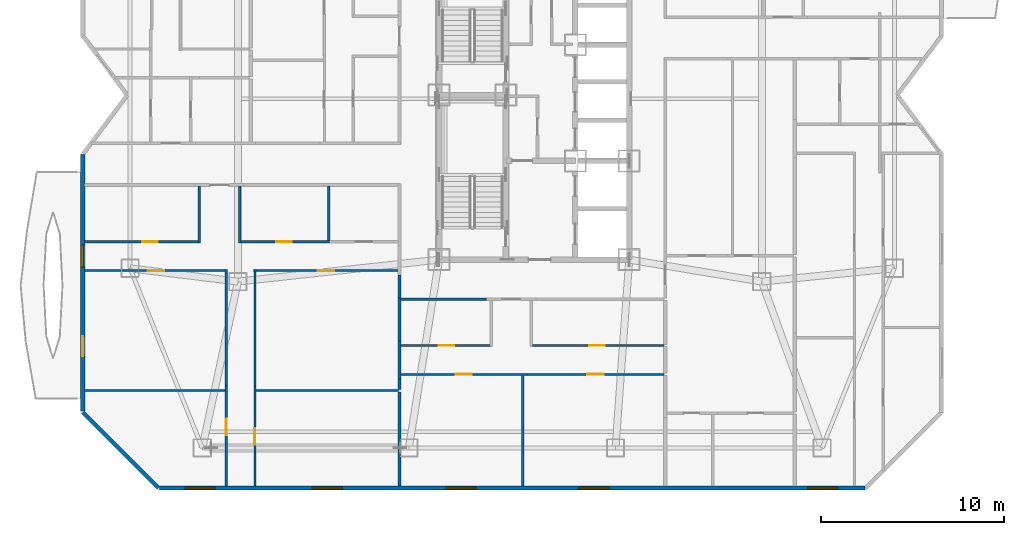
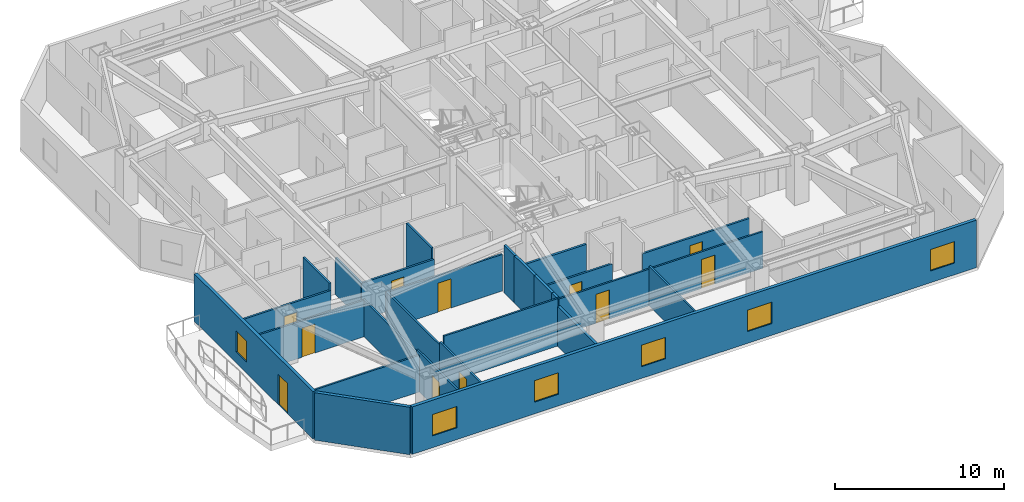
# One storey, part 7 of 15: 27 walls, 11 doors, 6 windows, 17 openings.
"""IFC4 building model written with IfcOpenShell, lengths in metres."""

from ifc_helpers import new_model, si_unit, direction, frame, frame_2d, origin, place, context, subcontext, project, spatial, rectangle, extrude, material, layer, layer_set, type_object, element, fill, save


model = new_model("IFC4")

# Units and contexts
model_context = context("Model", 3, precision=1e-05, world=origin(), true_north=direction((0.0, 1.0)))
body_context = subcontext(model_context, "Body", "Model", "MODEL_VIEW")
ifc_project = project(units=[si_unit("LENGTHUNIT", "METRE"), si_unit("AREAUNIT", "SQUARE_METRE"), si_unit("VOLUMEUNIT", "CUBIC_METRE"), si_unit("PLANEANGLEUNIT", "RADIAN"), si_unit("MASSUNIT", "GRAM", prefix="KILO")], contexts=[model_context])

# Site, building, storey
site_placement = place(None, origin())
site = spatial("IfcSite", under=ifc_project, at=site_placement, CompositionType="ELEMENT")
building_placement = place(site_placement, origin())
building = spatial("IfcBuilding", under=site, at=building_placement, Name="Khamvora Tower", CompositionType="ELEMENT")
storey_placement = place(building_placement, frame((0.0, 0.0, 112.85009765625)))
storey = spatial("IfcBuildingStorey", under=building, at=storey_placement, Name="L28", CompositionType="ELEMENT", Elevation=112.85009765625)

# Walls
ifc_material_1 = material(Name="Fire-Rated Drywall and Steel Stud", Category="steel")
ifc_layer_1 = layer(ifc_material_1, 0.14990234375)
ifc_layer_set_1 = layer_set([ifc_layer_1], Name="Fire-Rated Drywall and Steel Stud")
wall_type_1 = type_object("IfcWallType", Name="WAL-CORR-150", PredefinedType="STANDARD", material=ifc_layer_set_1)
wall_1_placement = place(storey_placement, frame((26.8349609375, 16.89990234375, 0.0), z_axis=(0.0, 0.0, 1.0), x_axis=(0.0, 1.0, 0.0)))
element("IfcWall", 1, at=wall_1_placement, inside=storey, type_object=wall_type_1, Name="L28 interior partition wall 015", PredefinedType="STANDARD", context=body_context, shape_type="SweptSolid", body=[
    extrude(rectangle(XDim=1.254150390625, YDim=0.14990234375, at=frame_2d((0.626953125, 0.0))), origin(), (0.0, 0.0, 1.0), 3.429931640625),
])
wall_2_placement = place(storey_placement, frame((31.60107421875, 16.8349609375, 0.0), z_axis=(0.0, 0.0, 1.0), x_axis=(-1.0, 0.0, 0.0)))
element("IfcWall", 2, at=wall_2_placement, inside=storey, type_object=wall_type_1, Name="L28 interior partition wall 027", PredefinedType="STANDARD", context=body_context, shape_type="SweptSolid", body=[
    extrude(rectangle(XDim=4.701171875, YDim=0.14990234375, at=frame_2d((2.3505859375, 0.0))), origin(), (0.0, 0.0, 1.0), 2.64697265625),
])
ifc_material_2 = material(Name="Acoustic Double-Stud Fire Wall", Category="gypsum")
ifc_layer_2 = layer(ifc_material_2, 0.179931640625)
ifc_layer_set_2 = layer_set([ifc_layer_2], Name="Acoustic Double-Stud Fire Wall")
wall_type_2 = type_object("IfcWallType", Name="WAL-CORR-180", PredefinedType="STANDARD", material=ifc_layer_set_2)
wall_3_placement = place(storey_placement, frame((26.8349609375, 11.77294921875, 0.0), z_axis=(0.0, 0.0, 1.0), x_axis=(0.0, -1.0, 0.0)))
element("IfcWall", 3, at=wall_3_placement, inside=storey, type_object=wall_type_2, Name="L28 interior partition wall 062", PredefinedType="STANDARD", context=body_context, shape_type="SweptSolid", body=[
    extrude(rectangle(XDim=5.160888671875, YDim=0.179931640625, at=frame_2d((2.58056640625, 0.0))), origin(), (0.0, 0.0, 1.0), 2.8759765625),
])
wall_4_placement = place(storey_placement, frame((26.8349609375, 14.553955078125, 0.0), z_axis=(0.0, 0.0, 1.0), x_axis=(0.0, -1.0, 0.0)))
element("IfcWall", 4, at=wall_4_placement, inside=storey, type_object=wall_type_2, Name="L28 interior partition wall 063", PredefinedType="STANDARD", context=body_context, shape_type="SweptSolid", body=[
    extrude(rectangle(XDim=2.077880859375, YDim=0.179931640625, at=frame_2d((1.0390625, 0.0))), origin(), (0.0, 0.0, 1.0), 3.429931640625),
])
wall_5_placement = place(storey_placement, frame((26.8349609375, 16.89990234375, 0.0), z_axis=(0.0, 0.0, 1.0), x_axis=(0.0, -1.0, 0.0)))
element("IfcWall", 5, at=wall_5_placement, inside=storey, type_object=wall_type_2, Name="L28 interior partition wall 064", PredefinedType="STANDARD", context=body_context, shape_type="SweptSolid", body=[
    extrude(rectangle(XDim=2.345947265625, YDim=0.179931640625, at=frame_2d((1.1728515625, 0.0))), origin(), (0.0, 0.0, 1.0), 3.429931640625),
])
wall_6_placement = place(storey_placement, frame((26.8349609375, 12.47607421875, 0.0), z_axis=(0.0, 0.0, 1.0), x_axis=(0.0, -1.0, 0.0)))
element("IfcWall", 6, at=wall_6_placement, inside=storey, type_object=wall_type_2, Name="L28 interior partition wall 065", PredefinedType="STANDARD", context=body_context, shape_type="SweptSolid", body=[
    extrude(rectangle(XDim=0.572998046875, YDim=0.179931640625, at=frame_2d((0.28662109375, 0.0))), origin(), (0.0, 0.0, 1.0), 3.429931640625),
])
ifc_material_3 = material(Name="Precast concrete C40/50", Category="concrete")
ifc_layer_3 = layer(ifc_material_3, 0.219970703125)
ifc_layer_set_3 = layer_set([ifc_layer_3], Name="Precast concrete C40/50")
wall_type_3 = type_object("IfcWallType", Name="WAL-EXT-220", PredefinedType="STANDARD", material=ifc_layer_set_3)
wall_7_placement = place(storey_placement, frame((13.64599609375, 6.510009765625, 0.0), z_axis=(0.0, 0.0, 1.0), x_axis=(-0.707106781187, 0.707106781187, 0.0)))
element("IfcWall", 7, at=wall_7_placement, inside=storey, type_object=wall_type_3, Name="L28 exterior facade wall 01.1", PredefinedType="STANDARD", context=body_context, shape_type="SweptSolid", body=[
    extrude(rectangle(XDim=5.84912109375, YDim=0.219970703125, at=frame_2d((2.924560546875, 0.0))), origin(), (0.0, 0.0, 1.0), 3.429931640625),
])

# Wall, openings, door, window
wall_8_placement = place(storey_placement, frame((9.510009765625, 10.717041015625, 0.0), z_axis=(0.0, 0.0, 1.0), x_axis=(0.0, 1.0, 0.0)))
wall_8 = element("IfcWall", 8, at=wall_8_placement, inside=storey, type_object=wall_type_3, Name="L28 exterior facade wall 02.1", PredefinedType="STANDARD", context=body_context, shape_type="SweptSolid", body=[
    extrude(rectangle(XDim=14.0458984375, YDim=0.219970703125, at=frame_2d((7.02294921875, 0.0))), origin(), (0.0, 0.0, 1.0), 3.429931640625),
])
opening_1_placement = place(wall_8_placement, frame((2.9970703125, 0.0, 0.0)))
opening_1 = element("IfcOpeningElement", 9, at=opening_1_placement, cuts=wall_8, Name="Opening BD-01", PredefinedType="OPENING", context=body_context, shape_type="SweptSolid", body=[
    extrude(rectangle(XDim=1.10009765625, YDim=2.199951171875, at=frame_2d((0.550048828125, 1.10009765625))), frame((0.0, 0.119873046875, 0.0), z_axis=(0.0, -1.0, 0.0), x_axis=(1.0, 0.0, 0.0)), (0.0, 0.0, 1.0), 0.239990234375),
])
opening_2_placement = place(wall_8_placement, frame((7.8759765625, 0.0, 0.800048828125)))
opening_2 = element("IfcOpeningElement", 10, at=opening_2_placement, cuts=wall_8, Name="Opening WN-03", PredefinedType="OPENING", context=body_context, shape_type="SweptSolid", body=[
    extrude(rectangle(XDim=1.199951171875, YDim=1.5, at=frame_2d((0.60009765625, 0.75))), frame((0.0, 0.119873046875, 0.0), z_axis=(0.0, -1.0, 0.0), x_axis=(1.0, 0.0, 0.0)), (0.0, 0.0, 1.0), 0.239990234375),
])
ifc_material_4 = material(Name="Anodised Aluminium and Laminated Safety Glass", Category="aluminium")
door_type_1 = type_object("IfcDoorType", Name="DOR-BAL-1100", OperationType="NOTDEFINED", PredefinedType="DOOR", material=ifc_material_4)
door_1_placement = place(opening_1_placement, origin())
door_1 = element("IfcDoor", 11, at=door_1_placement, inside=storey, type_object=door_type_1, Name="L28 lens gallery balcony door WL1", OperationType="SLIDING_TO_LEFT", OverallHeight=2.199951171875, OverallWidth=1.10009765625, PredefinedType="DOOR", context=body_context, shape_type="SweptSolid", body=[
    extrude(rectangle(XDim=1.10009765625, YDim=2.199951171875, at=frame_2d((0.550048828125, 1.10009765625))), frame((0.0, 0.02490234375, 0.0), z_axis=(0.0, -1.0, 0.0), x_axis=(1.0, 0.0, 0.0)), (0.0, 0.0, 1.0), 0.050048828125),
])
fill(opening_1, door_1)
ifc_material_5 = material(Name="Low-E Laminated Double Glazing", Category="glass")
window_type_1 = type_object("IfcWindowType", Name="WIN-VIS-1200x1500", PartitioningType="SINGLE_PANEL", PredefinedType="WINDOW", material=ifc_material_5)
window_1_placement = place(opening_2_placement, origin())
window_1 = element("IfcWindow", 12, at=window_1_placement, inside=storey, type_object=window_type_1, Name="L28 vision window 02.1.01", OverallHeight=1.5, OverallWidth=1.199951171875, PartitioningType="SINGLE_PANEL", PredefinedType="WINDOW", context=body_context, shape_type="SweptSolid", body=[
    extrude(rectangle(XDim=1.199951171875, YDim=1.5, at=frame_2d((0.60009765625, 0.75))), frame((0.0, 0.030029296875, 0.0), z_axis=(0.0, -1.0, 0.0), x_axis=(1.0, 0.0, 0.0)), (0.0, 0.0, 1.0), 0.06005859375),
])
fill(opening_2, window_1)

# Wall, openings, windows
wall_9_placement = place(storey_placement, frame((52.282958984375, 6.510009765625, 0.0), z_axis=(0.0, 0.0, 1.0), x_axis=(-1.0, 0.0, 0.0)))
wall_9 = element("IfcWall", 13, at=wall_9_placement, inside=storey, type_object=wall_type_3, Name="L28 exterior facade wall 14.1", PredefinedType="STANDARD", context=body_context, shape_type="SweptSolid", body=[
    extrude(rectangle(XDim=38.56787109375, YDim=0.219970703125, at=frame_2d((19.283935546875, 0.0))), origin(), (0.0, 0.0, 1.0), 3.429931640625),
])
opening_3_placement = place(wall_9_placement, frame((35.530029296875, 0.0, 0.85009765625)))
opening_3 = element("IfcOpeningElement", 14, at=opening_3_placement, cuts=wall_9, Name="Opening WN-06", PredefinedType="OPENING", context=body_context, shape_type="SweptSolid", body=[
    extrude(rectangle(XDim=1.64990234375, YDim=1.550048828125, at=frame_2d((0.824951171875, 0.77490234375))), frame((0.0, 0.119873046875, 0.0), z_axis=(0.0, -1.0, 0.0), x_axis=(1.0, 0.0, 0.0)), (0.0, 0.0, 1.0), 0.239990234375),
])
opening_4_placement = place(wall_9_placement, frame((28.577880859375, 0.0, 0.85009765625)))
opening_4 = element("IfcOpeningElement", 15, at=opening_4_placement, cuts=wall_9, Name="Opening WN-06", PredefinedType="OPENING", context=body_context, shape_type="SweptSolid", body=[
    extrude(rectangle(XDim=1.64990234375, YDim=1.550048828125, at=frame_2d((0.824951171875, 0.77490234375))), frame((0.0, 0.119873046875, 0.0), z_axis=(0.0, -1.0, 0.0), x_axis=(1.0, 0.0, 0.0)), (0.0, 0.0, 1.0), 0.239990234375),
])
opening_5_placement = place(wall_9_placement, frame((21.2529296875, 0.0, 0.85009765625)))
opening_5 = element("IfcOpeningElement", 16, at=opening_5_placement, cuts=wall_9, Name="Opening WN-06", PredefinedType="OPENING", context=body_context, shape_type="SweptSolid", body=[
    extrude(rectangle(XDim=1.64990234375, YDim=1.550048828125, at=frame_2d((0.824951171875, 0.77490234375))), frame((0.0, 0.119873046875, 0.0), z_axis=(0.0, -1.0, 0.0), x_axis=(1.0, 0.0, 0.0)), (0.0, 0.0, 1.0), 0.239990234375),
])
opening_6_placement = place(wall_9_placement, frame((13.988037109375, 0.0, 0.85009765625)))
opening_6 = element("IfcOpeningElement", 17, at=opening_6_placement, cuts=wall_9, Name="Opening WN-06", PredefinedType="OPENING", context=body_context, shape_type="SweptSolid", body=[
    extrude(rectangle(XDim=1.64990234375, YDim=1.550048828125, at=frame_2d((0.824951171875, 0.77490234375))), frame((0.0, 0.119873046875, 0.0), z_axis=(0.0, -1.0, 0.0), x_axis=(1.0, 0.0, 0.0)), (0.0, 0.0, 1.0), 0.239990234375),
])
opening_7_placement = place(wall_9_placement, frame((1.47900390625, 0.0, 0.85009765625)))
opening_7 = element("IfcOpeningElement", 18, at=opening_7_placement, cuts=wall_9, Name="Opening WN-06", PredefinedType="OPENING", context=body_context, shape_type="SweptSolid", body=[
    extrude(rectangle(XDim=1.64990234375, YDim=1.550048828125, at=frame_2d((0.824951171875, 0.77490234375))), frame((0.0, 0.119873046875, 0.0), z_axis=(0.0, -1.0, 0.0), x_axis=(1.0, 0.0, 0.0)), (0.0, 0.0, 1.0), 0.239990234375),
])
window_type_2 = type_object("IfcWindowType", Name="WIN-VIS-1650x1550", PartitioningType="SINGLE_PANEL", PredefinedType="WINDOW", material=ifc_material_5)
window_2_placement = place(opening_3_placement, origin())
window_2 = element("IfcWindow", 19, at=window_2_placement, inside=storey, type_object=window_type_2, Name="L28 vision window 14.1.01", OverallHeight=1.550048828125, OverallWidth=1.64990234375, PartitioningType="SINGLE_PANEL", PredefinedType="WINDOW", context=body_context, shape_type="SweptSolid", body=[
    extrude(rectangle(XDim=1.64990234375, YDim=1.550048828125, at=frame_2d((0.824951171875, 0.77490234375))), frame((0.0, 0.030029296875, 0.0), z_axis=(0.0, -1.0, 0.0), x_axis=(1.0, 0.0, 0.0)), (0.0, 0.0, 1.0), 0.06005859375),
])
fill(opening_3, window_2)
window_3_placement = place(opening_4_placement, origin())
window_3 = element("IfcWindow", 20, at=window_3_placement, inside=storey, type_object=window_type_2, Name="L28 vision window 14.1.02", OverallHeight=1.550048828125, OverallWidth=1.64990234375, PartitioningType="SINGLE_PANEL", PredefinedType="WINDOW", context=body_context, shape_type="SweptSolid", body=[
    extrude(rectangle(XDim=1.64990234375, YDim=1.550048828125, at=frame_2d((0.824951171875, 0.77490234375))), frame((0.0, 0.030029296875, 0.0), z_axis=(0.0, -1.0, 0.0), x_axis=(1.0, 0.0, 0.0)), (0.0, 0.0, 1.0), 0.06005859375),
])
fill(opening_4, window_3)
window_4_placement = place(opening_5_placement, origin())
window_4 = element("IfcWindow", 21, at=window_4_placement, inside=storey, type_object=window_type_2, Name="L28 vision window 14.1.03", OverallHeight=1.550048828125, OverallWidth=1.64990234375, PartitioningType="SINGLE_PANEL", PredefinedType="WINDOW", context=body_context, shape_type="SweptSolid", body=[
    extrude(rectangle(XDim=1.64990234375, YDim=1.550048828125, at=frame_2d((0.824951171875, 0.77490234375))), frame((0.0, 0.030029296875, 0.0), z_axis=(0.0, -1.0, 0.0), x_axis=(1.0, 0.0, 0.0)), (0.0, 0.0, 1.0), 0.06005859375),
])
fill(opening_5, window_4)
window_5_placement = place(opening_6_placement, origin())
window_5 = element("IfcWindow", 22, at=window_5_placement, inside=storey, type_object=window_type_2, Name="L28 vision window 14.1.04", OverallHeight=1.550048828125, OverallWidth=1.64990234375, PartitioningType="SINGLE_PANEL", PredefinedType="WINDOW", context=body_context, shape_type="SweptSolid", body=[
    extrude(rectangle(XDim=1.64990234375, YDim=1.550048828125, at=frame_2d((0.824951171875, 0.77490234375))), frame((0.0, 0.030029296875, 0.0), z_axis=(0.0, -1.0, 0.0), x_axis=(1.0, 0.0, 0.0)), (0.0, 0.0, 1.0), 0.06005859375),
])
fill(opening_6, window_5)
window_6_placement = place(opening_7_placement, origin())
window_6 = element("IfcWindow", 23, at=window_6_placement, inside=storey, type_object=window_type_2, Name="L28 vision window 14.1.05", OverallHeight=1.550048828125, OverallWidth=1.64990234375, PartitioningType="SINGLE_PANEL", PredefinedType="WINDOW", context=body_context, shape_type="SweptSolid", body=[
    extrude(rectangle(XDim=1.64990234375, YDim=1.550048828125, at=frame_2d((0.824951171875, 0.77490234375))), frame((0.0, 0.030029296875, 0.0), z_axis=(0.0, -1.0, 0.0), x_axis=(1.0, 0.0, 0.0)), (0.0, 0.0, 1.0), 0.06005859375),
])
fill(opening_7, window_6)

# Wall, opening, door
ifc_material_6 = material(Name="Gypsum Plasterboard Partition", Category="gypsum")
ifc_layer_4 = layer(ifc_material_6, 0.1201171875)
ifc_layer_set_4 = layer_set([ifc_layer_4], Name="Gypsum Plasterboard Partition")
wall_type_4 = type_object("IfcWallType", Name="WAL-PART-120", PredefinedType="PARTITIONING", material=ifc_layer_set_4)
wall_10_placement = place(storey_placement, frame((17.35498046875, 6.612060546875, 0.0), z_axis=(0.0, 0.0, 1.0), x_axis=(0.0, 1.0, 0.0)))
wall_10 = element("IfcWall", 24, at=wall_10_placement, inside=storey, type_object=wall_type_4, Name="L28 interior partition wall 054", PredefinedType="PARTITIONING", context=body_context, shape_type="SweptSolid", body=[
    extrude(rectangle(XDim=5.474853515625, YDim=0.1201171875, at=frame_2d((2.7373046875, 0.0))), origin(), (0.0, 0.0, 1.0), 2.8759765625),
])
opening_8_placement = place(wall_10_placement, frame((2.77392578125, 0.0, 0.0)))
opening_8 = element("IfcOpeningElement", 25, at=opening_8_placement, cuts=wall_10, Name="Opening D-RM1", PredefinedType="OPENING", context=body_context, shape_type="SweptSolid", body=[
    extrude(rectangle(XDim=0.89990234375, YDim=2.10009765625, at=frame_2d((0.449951171875, 1.050048828125))), frame((0.0, 0.070068359375, 0.0), z_axis=(0.0, -1.0, 0.0), x_axis=(1.0, 0.0, 0.0)), (0.0, 0.0, 1.0), 0.14013671875),
])
ifc_material_7 = material(Name="Powder-Coated Steel and Hardwood Leaf", Category="steel")
door_type_2 = type_object("IfcDoorType", Name="DOR-ROOM-900", OperationType="NOTDEFINED", PredefinedType="DOOR", material=ifc_material_7)
door_2_placement = place(opening_8_placement, origin())
door_2 = element("IfcDoor", 26, at=door_2_placement, inside=storey, type_object=door_type_2, Name="L28 interior door 28WAH-28WAL", OperationType="SINGLE_SWING_RIGHT", OverallHeight=2.10009765625, OverallWidth=0.89990234375, PredefinedType="DOOR", context=body_context, shape_type="SweptSolid", body=[
    extrude(rectangle(XDim=0.89990234375, YDim=2.10009765625, at=frame_2d((0.449951171875, 1.050048828125))), frame((0.0, 0.02490234375, 0.0), z_axis=(0.0, -1.0, 0.0), x_axis=(1.0, 0.0, 0.0)), (0.0, 0.0, 1.0), 0.050048828125),
])
fill(opening_8, door_2)

# Wall
wall_11_placement = place(storey_placement, frame((17.35498046875, 12.0869140625, 0.0), z_axis=(0.0, 0.0, 1.0), x_axis=(0.0, 1.0, 0.0)))
element("IfcWall", 27, at=wall_11_placement, inside=storey, type_object=wall_type_4, Name="L28 interior partition wall 055", PredefinedType="PARTITIONING", context=body_context, shape_type="SweptSolid", body=[
    extrude(rectangle(XDim=6.381103515625, YDim=0.1201171875, at=frame_2d((3.1904296875, 0.0))), origin(), (0.0, 0.0, 1.0), 2.64697265625),
])

# Wall, opening, door
wall_12_placement = place(storey_placement, frame((17.419921875, 18.403076171875, 0.0), z_axis=(0.0, 0.0, 1.0), x_axis=(-1.0, 0.0, 0.0)))
wall_12 = element("IfcWall", 28, at=wall_12_placement, inside=storey, type_object=wall_type_4, Name="L28 interior partition wall 056", PredefinedType="PARTITIONING", context=body_context, shape_type="SweptSolid", body=[
    extrude(rectangle(XDim=7.807861328125, YDim=0.1201171875, at=frame_2d((3.90380859375, 0.0))), origin(), (0.0, 0.0, 1.0), 2.64697265625),
])
opening_9_placement = place(wall_12_placement, frame((3.4541015625, 0.0, 0.0)))
opening_9 = element("IfcOpeningElement", 29, at=opening_9_placement, cuts=wall_12, Name="Opening D-RM1", PredefinedType="OPENING", context=body_context, shape_type="SweptSolid", body=[
    extrude(rectangle(XDim=0.89990234375, YDim=2.10009765625, at=frame_2d((0.449951171875, 1.050048828125))), frame((0.0, 0.070068359375, 0.0), z_axis=(0.0, -1.0, 0.0), x_axis=(1.0, 0.0, 0.0)), (0.0, 0.0, 1.0), 0.14013671875),
])
door_3_placement = place(opening_9_placement, origin())
door_3 = element("IfcDoor", 30, at=door_3_placement, inside=storey, type_object=door_type_2, Name="L28 interior door 28WAH-28WAR2", OperationType="SINGLE_SWING_LEFT", OverallHeight=2.10009765625, OverallWidth=0.89990234375, PredefinedType="DOOR", context=body_context, shape_type="SweptSolid", body=[
    extrude(rectangle(XDim=0.89990234375, YDim=2.10009765625, at=frame_2d((0.449951171875, 1.050048828125))), frame((0.0, 0.02490234375, 0.0), z_axis=(0.0, -1.0, 0.0), x_axis=(1.0, 0.0, 0.0)), (0.0, 0.0, 1.0), 0.050048828125),
])
fill(opening_9, door_3)

wall_13_placement = place(storey_placement, frame((18.925048828125, 12.0869140625, 0.0), z_axis=(0.0, 0.0, 1.0), x_axis=(0.0, -1.0, 0.0)))
wall_13 = element("IfcWall", 31, at=wall_13_placement, inside=storey, type_object=wall_type_4, Name="L28 interior partition wall 057", PredefinedType="PARTITIONING", context=body_context, shape_type="SweptSolid", body=[
    extrude(rectangle(XDim=5.474853515625, YDim=0.1201171875, at=frame_2d((2.7373046875, 0.0))), origin(), (0.0, 0.0, 1.0), 2.8759765625),
])
opening_10_placement = place(wall_13_placement, frame((2.30810546875, 0.0, 0.0)))
opening_10 = element("IfcOpeningElement", 32, at=opening_10_placement, cuts=wall_13, Name="Opening D-RM1", PredefinedType="OPENING", context=body_context, shape_type="SweptSolid", body=[
    extrude(rectangle(XDim=0.89990234375, YDim=2.10009765625, at=frame_2d((0.449951171875, 1.050048828125))), frame((0.0, 0.070068359375, 0.0), z_axis=(0.0, -1.0, 0.0), x_axis=(1.0, 0.0, 0.0)), (0.0, 0.0, 1.0), 0.14013671875),
])
door_4_placement = place(opening_10_placement, origin())
door_4 = element("IfcDoor", 33, at=door_4_placement, inside=storey, type_object=door_type_2, Name="L28 interior door 28WAH-28WAR3", OperationType="SINGLE_SWING_LEFT", OverallHeight=2.10009765625, OverallWidth=0.89990234375, PredefinedType="DOOR", context=body_context, shape_type="SweptSolid", body=[
    extrude(rectangle(XDim=0.89990234375, YDim=2.10009765625, at=frame_2d((0.449951171875, 1.050048828125))), frame((0.0, 0.02490234375, 0.0), z_axis=(0.0, -1.0, 0.0), x_axis=(1.0, 0.0, 0.0)), (0.0, 0.0, 1.0), 0.050048828125),
])
fill(opening_10, door_4)

wall_14_placement = place(storey_placement, frame((26.77001953125, 18.403076171875, 0.0), z_axis=(0.0, 0.0, 1.0), x_axis=(-1.0, 0.0, 0.0)))
wall_14 = element("IfcWall", 34, at=wall_14_placement, inside=storey, type_object=wall_type_4, Name="L28 interior partition wall 058", PredefinedType="PARTITIONING", context=body_context, shape_type="SweptSolid", body=[
    extrude(rectangle(XDim=7.909912109375, YDim=0.1201171875, at=frame_2d((3.955078125, 0.0))), origin(), (0.0, 0.0, 1.0), 2.64697265625),
])
opening_11_placement = place(wall_14_placement, frame((3.5048828125, 0.0, 0.0)))
opening_11 = element("IfcOpeningElement", 35, at=opening_11_placement, cuts=wall_14, Name="Opening D-RM1", PredefinedType="OPENING", context=body_context, shape_type="SweptSolid", body=[
    extrude(rectangle(XDim=0.89990234375, YDim=2.10009765625, at=frame_2d((0.449951171875, 1.050048828125))), frame((0.0, 0.070068359375, 0.0), z_axis=(0.0, -1.0, 0.0), x_axis=(1.0, 0.0, 0.0)), (0.0, 0.0, 1.0), 0.14013671875),
])
door_5_placement = place(opening_11_placement, origin())
door_5 = element("IfcDoor", 36, at=door_5_placement, inside=storey, type_object=door_type_2, Name="L28 interior door 28WAH-28WAR4", OperationType="SINGLE_SWING_RIGHT", OverallHeight=2.10009765625, OverallWidth=0.89990234375, PredefinedType="DOOR", context=body_context, shape_type="SweptSolid", body=[
    extrude(rectangle(XDim=0.89990234375, YDim=2.10009765625, at=frame_2d((0.449951171875, 1.050048828125))), frame((0.0, 0.02490234375, 0.0), z_axis=(0.0, -1.0, 0.0), x_axis=(1.0, 0.0, 0.0)), (0.0, 0.0, 1.0), 0.050048828125),
])
fill(opening_11, door_5)

# Walls
wall_15_placement = place(storey_placement, frame((18.925048828125, 18.468017578125, 0.0), z_axis=(0.0, 0.0, 1.0), x_axis=(0.0, -1.0, 0.0)))
element("IfcWall", 37, at=wall_15_placement, inside=storey, type_object=wall_type_4, Name="L28 interior partition wall 059", PredefinedType="PARTITIONING", context=body_context, shape_type="SweptSolid", body=[
    extrude(rectangle(XDim=6.381103515625, YDim=0.1201171875, at=frame_2d((3.1904296875, 0.0))), origin(), (0.0, 0.0, 1.0), 2.64697265625),
])
wall_16_placement = place(storey_placement, frame((9.612060546875, 11.837890625, 0.0), z_axis=(0.0, 0.0, 1.0), x_axis=(1.0, 0.0, 0.0)))
element("IfcWall", 38, at=wall_16_placement, inside=storey, type_object=wall_type_4, Name="L28 interior partition wall 060", PredefinedType="PARTITIONING", context=body_context, shape_type="SweptSolid", body=[
    extrude(rectangle(XDim=7.68896484375, YDim=0.1201171875, at=frame_2d((3.844482421875, 0.0))), origin(), (0.0, 0.0, 1.0), 2.64697265625),
])
wall_17_placement = place(storey_placement, frame((18.97900390625, 11.837890625, 0.0), z_axis=(0.0, 0.0, 1.0), x_axis=(1.0, 0.0, 0.0)))
element("IfcWall", 39, at=wall_17_placement, inside=storey, type_object=wall_type_4, Name="L28 interior partition wall 061", PredefinedType="PARTITIONING", context=body_context, shape_type="SweptSolid", body=[
    extrude(rectangle(XDim=7.791015625, YDim=0.1201171875, at=frame_2d((3.8955078125, 0.0))), origin(), (0.0, 0.0, 1.0), 3.429931640625),
])

# Wall, opening, door
wall_18_placement = place(storey_placement, frame((33.822998046875, 12.72509765625, 0.0), z_axis=(0.0, 0.0, 1.0), x_axis=(-1.0, 0.0, 0.0)))
wall_18 = element("IfcWall", 40, at=wall_18_placement, inside=storey, type_object=wall_type_4, Name="L28 interior partition wall 105", PredefinedType="PARTITIONING", context=body_context, shape_type="SweptSolid", body=[
    extrude(rectangle(XDim=6.906005859375, YDim=0.1201171875, at=frame_2d((3.453125, 0.0))), origin(), (0.0, 0.0, 1.0), 2.64697265625),
])
opening_12_placement = place(wall_18_placement, frame((3.02392578125, 0.0, 0.0)))
opening_12 = element("IfcOpeningElement", 41, at=opening_12_placement, cuts=wall_18, Name="Opening D-RM1", PredefinedType="OPENING", context=body_context, shape_type="SweptSolid", body=[
    extrude(rectangle(XDim=0.89990234375, YDim=2.10009765625, at=frame_2d((0.449951171875, 1.050048828125))), frame((0.0, 0.070068359375, 0.0), z_axis=(0.0, -1.0, 0.0), x_axis=(1.0, 0.0, 0.0)), (0.0, 0.0, 1.0), 0.14013671875),
])
door_6_placement = place(opening_12_placement, origin())
door_6 = element("IfcDoor", 42, at=door_6_placement, inside=storey, type_object=door_type_2, Name="L28 interior door 28SAH-28SAR1", OperationType="SINGLE_SWING_LEFT", OverallHeight=2.10009765625, OverallWidth=0.89990234375, PredefinedType="DOOR", context=body_context, shape_type="SweptSolid", body=[
    extrude(rectangle(XDim=0.89990234375, YDim=2.10009765625, at=frame_2d((0.449951171875, 1.050048828125))), frame((0.0, 0.02490234375, 0.0), z_axis=(0.0, -1.0, 0.0), x_axis=(1.0, 0.0, 0.0)), (0.0, 0.0, 1.0), 0.050048828125),
])
fill(opening_12, door_6)

wall_19_placement = place(storey_placement, frame((41.300048828125, 12.72509765625, 0.0), z_axis=(0.0, 0.0, 1.0), x_axis=(-1.0, 0.0, 0.0)))
wall_19 = element("IfcWall", 43, at=wall_19_placement, inside=storey, type_object=wall_type_4, Name="L28 interior partition wall 106", PredefinedType="PARTITIONING", context=body_context, shape_type="SweptSolid", body=[
    extrude(rectangle(XDim=7.47705078125, YDim=0.1201171875, at=frame_2d((3.738525390625, 0.0))), origin(), (0.0, 0.0, 1.0), 2.64697265625),
])
opening_13_placement = place(wall_19_placement, frame((3.2880859375, 0.0, 0.0)))
opening_13 = element("IfcOpeningElement", 44, at=opening_13_placement, cuts=wall_19, Name="Opening D-RM1", PredefinedType="OPENING", context=body_context, shape_type="SweptSolid", body=[
    extrude(rectangle(XDim=0.89990234375, YDim=2.10009765625, at=frame_2d((0.449951171875, 1.050048828125))), frame((0.0, 0.070068359375, 0.0), z_axis=(0.0, -1.0, 0.0), x_axis=(1.0, 0.0, 0.0)), (0.0, 0.0, 1.0), 0.14013671875),
])
door_7_placement = place(opening_13_placement, origin())
door_7 = element("IfcDoor", 45, at=door_7_placement, inside=storey, type_object=door_type_2, Name="L28 interior door 28SAH-28SAR2", OperationType="SINGLE_SWING_RIGHT", OverallHeight=2.10009765625, OverallWidth=0.89990234375, PredefinedType="DOOR", context=body_context, shape_type="SweptSolid", body=[
    extrude(rectangle(XDim=0.89990234375, YDim=2.10009765625, at=frame_2d((0.449951171875, 1.050048828125))), frame((0.0, 0.02490234375, 0.0), z_axis=(0.0, -1.0, 0.0), x_axis=(1.0, 0.0, 0.0)), (0.0, 0.0, 1.0), 0.050048828125),
])
fill(opening_13, door_7)

# Walls
wall_20_placement = place(storey_placement, frame((33.573974609375, 12.6708984375, 0.0), z_axis=(0.0, 0.0, 1.0), x_axis=(0.0, -1.0, 0.0)))
element("IfcWall", 46, at=wall_20_placement, inside=storey, type_object=wall_type_4, Name="L28 interior partition wall 109", PredefinedType="PARTITIONING", context=body_context, shape_type="SweptSolid", body=[
    extrude(rectangle(XDim=6.058837890625, YDim=0.1201171875, at=frame_2d((3.029296875, 0.0))), origin(), (0.0, 0.0, 1.0), 2.8759765625),
])
ifc_material_8 = material(Name="Moisture-Resistant Plasterboard Partition", Category="gypsum")
ifc_layer_5 = layer(ifc_material_8, 0.135009765625)
ifc_layer_set_5 = layer_set([ifc_layer_5], Name="Moisture-Resistant Plasterboard Partition")
wall_type_5 = type_object("IfcWallType", Name="WAL-WET-135", PredefinedType="PARTITIONING", material=ifc_layer_set_5)
wall_21_placement = place(storey_placement, frame((22.955078125, 20.048095703125, 0.0), z_axis=(0.0, 0.0, 1.0), x_axis=(0.0, 1.0, 0.0)))
element("IfcWall", 47, at=wall_21_placement, inside=storey, type_object=wall_type_5, Name="L28 interior partition wall 049", PredefinedType="PARTITIONING", context=body_context, shape_type="SweptSolid", body=[
    extrude(rectangle(XDim=2.971923828125, YDim=0.135009765625, at=frame_2d((1.48583984375, 0.0))), origin(), (0.0, 0.0, 1.0), 3.429931640625),
])
wall_22_placement = place(storey_placement, frame((18.090087890625, 23.02001953125, 0.0), z_axis=(0.0, 0.0, 1.0), x_axis=(0.0, -1.0, 0.0)))
element("IfcWall", 48, at=wall_22_placement, inside=storey, type_object=wall_type_5, Name="L28 interior partition wall 050", PredefinedType="PARTITIONING", context=body_context, shape_type="SweptSolid", body=[
    extrude(rectangle(XDim=3.10205078125, YDim=0.135009765625, at=frame_2d((1.551025390625, 0.0))), origin(), (0.0, 0.0, 1.0), 2.64697265625),
])

# Wall, opening, door
wall_23_placement = place(storey_placement, frame((18.02490234375, 19.98291015625, 0.0), z_axis=(0.0, 0.0, 1.0), x_axis=(1.0, 0.0, 0.0)))
wall_23 = element("IfcWall", 49, at=wall_23_placement, inside=storey, type_object=wall_type_5, Name="L28 interior partition wall 051", PredefinedType="PARTITIONING", context=body_context, shape_type="SweptSolid", body=[
    extrude(rectangle(XDim=4.9951171875, YDim=0.135009765625, at=frame_2d((2.49755859375, 0.0))), origin(), (0.0, 0.0, 1.0), 2.64697265625),
])
opening_14_placement = place(wall_23_placement, frame((2.072998046875, 0.0, 0.0)))
opening_14 = element("IfcOpeningElement", 50, at=opening_14_placement, cuts=wall_23, Name="Opening D-WC1", PredefinedType="OPENING", context=body_context, shape_type="SweptSolid", body=[
    extrude(rectangle(XDim=0.85009765625, YDim=2.10009765625, at=frame_2d((0.425048828125, 1.050048828125))), frame((0.0, 0.077392578125, 0.0), z_axis=(0.0, -1.0, 0.0), x_axis=(1.0, 0.0, 0.0)), (0.0, 0.0, 1.0), 0.155029296875),
])
door_type_3 = type_object("IfcDoorType", Name="DOR-WET-850", OperationType="NOTDEFINED", PredefinedType="DOOR", material=ifc_material_7)
door_8_placement = place(opening_14_placement, origin())
door_8 = element("IfcDoor", 51, at=door_8_placement, inside=storey, type_object=door_type_3, Name="L28 interior door 28WAH-28WAB", OperationType="SINGLE_SWING_LEFT", OverallHeight=2.10009765625, OverallWidth=0.85009765625, PredefinedType="DOOR", context=body_context, shape_type="SweptSolid", body=[
    extrude(rectangle(XDim=0.85009765625, YDim=2.10009765625, at=frame_2d((0.425048828125, 1.050048828125))), frame((0.0, 0.02490234375, 0.0), z_axis=(0.0, -1.0, 0.0), x_axis=(1.0, 0.0, 0.0)), (0.0, 0.0, 1.0), 0.050048828125),
])
fill(opening_14, door_8)

wall_24_placement = place(storey_placement, frame((9.612060546875, 19.98291015625, 0.0), z_axis=(0.0, 0.0, 1.0), x_axis=(1.0, 0.0, 0.0)))
wall_24 = element("IfcWall", 52, at=wall_24_placement, inside=storey, type_object=wall_type_5, Name="L28 interior partition wall 052", PredefinedType="PARTITIONING", context=body_context, shape_type="SweptSolid", body=[
    extrude(rectangle(XDim=6.343017578125, YDim=0.135009765625, at=frame_2d((3.17138671875, 0.0))), origin(), (0.0, 0.0, 1.0), 2.8759765625),
])
opening_15_placement = place(wall_24_placement, frame((3.157958984375, 0.0, 0.0)))
opening_15 = element("IfcOpeningElement", 53, at=opening_15_placement, cuts=wall_24, Name="Opening D-RM2", PredefinedType="OPENING", context=body_context, shape_type="SweptSolid", body=[
    extrude(rectangle(XDim=0.85009765625, YDim=2.10009765625, at=frame_2d((0.425048828125, 1.050048828125))), frame((0.0, 0.077392578125, 0.0), z_axis=(0.0, -1.0, 0.0), x_axis=(1.0, 0.0, 0.0)), (0.0, 0.0, 1.0), 0.155029296875),
])
door_type_4 = type_object("IfcDoorType", Name="DOR-ROOM-850", OperationType="NOTDEFINED", PredefinedType="DOOR", material=ifc_material_7)
door_9_placement = place(opening_15_placement, origin())
door_9 = element("IfcDoor", 54, at=door_9_placement, inside=storey, type_object=door_type_4, Name="L28 interior door 28WAH-28WAK", OperationType="SINGLE_SWING_RIGHT", OverallHeight=2.10009765625, OverallWidth=0.85009765625, PredefinedType="DOOR", context=body_context, shape_type="SweptSolid", body=[
    extrude(rectangle(XDim=0.85009765625, YDim=2.10009765625, at=frame_2d((0.425048828125, 1.050048828125))), frame((0.0, 0.02490234375, 0.0), z_axis=(0.0, -1.0, 0.0), x_axis=(1.0, 0.0, 0.0)), (0.0, 0.0, 1.0), 0.050048828125),
])
fill(opening_15, door_9)

# Wall
wall_25_placement = place(storey_placement, frame((15.889892578125, 19.91796875, 0.0), z_axis=(0.0, 0.0, 1.0), x_axis=(0.0, 1.0, 0.0)))
element("IfcWall", 55, at=wall_25_placement, inside=storey, type_object=wall_type_5, Name="L28 interior partition wall 053", PredefinedType="PARTITIONING", context=body_context, shape_type="SweptSolid", body=[
    extrude(rectangle(XDim=3.10205078125, YDim=0.135009765625, at=frame_2d((1.551025390625, 0.0))), origin(), (0.0, 0.0, 1.0), 3.429931640625),
])

# Wall, opening, door
wall_26_placement = place(storey_placement, frame((26.9169921875, 14.304931640625, 0.0), z_axis=(0.0, 0.0, 1.0), x_axis=(1.0, 0.0, 0.0)))
wall_26 = element("IfcWall", 56, at=wall_26_placement, inside=storey, type_object=wall_type_5, Name="L28 interior partition wall 101", PredefinedType="PARTITIONING", context=body_context, shape_type="SweptSolid", body=[
    extrude(rectangle(XDim=4.998046875, YDim=0.135009765625, at=frame_2d((2.4990234375, 0.0))), origin(), (0.0, 0.0, 1.0), 2.64697265625),
])
opening_16_placement = place(wall_26_placement, frame((2.073974609375, 0.0, 0.0)))
opening_16 = element("IfcOpeningElement", 57, at=opening_16_placement, cuts=wall_26, Name="Opening D-WC1", PredefinedType="OPENING", context=body_context, shape_type="SweptSolid", body=[
    extrude(rectangle(XDim=0.85009765625, YDim=2.10009765625, at=frame_2d((0.425048828125, 1.050048828125))), frame((0.0, 0.077392578125, 0.0), z_axis=(0.0, -1.0, 0.0), x_axis=(1.0, 0.0, 0.0)), (0.0, 0.0, 1.0), 0.155029296875),
])
door_10_placement = place(opening_16_placement, origin())
door_10 = element("IfcDoor", 58, at=door_10_placement, inside=storey, type_object=door_type_3, Name="L28 interior door 28SAH-28SAB", OperationType="SINGLE_SWING_LEFT", OverallHeight=2.10009765625, OverallWidth=0.85009765625, PredefinedType="DOOR", context=body_context, shape_type="SweptSolid", body=[
    extrude(rectangle(XDim=0.85009765625, YDim=2.10009765625, at=frame_2d((0.425048828125, 1.050048828125))), frame((0.0, 0.02490234375, 0.0), z_axis=(0.0, -1.0, 0.0), x_axis=(1.0, 0.0, 0.0)), (0.0, 0.0, 1.0), 0.050048828125),
])
fill(opening_16, door_10)

wall_27_placement = place(storey_placement, frame((33.985107421875, 14.304931640625, 0.0), z_axis=(0.0, 0.0, 1.0), x_axis=(1.0, 0.0, 0.0)))
wall_27 = element("IfcWall", 59, at=wall_27_placement, inside=storey, type_object=wall_type_5, Name="L28 interior partition wall 104", PredefinedType="PARTITIONING", context=body_context, shape_type="SweptSolid", body=[
    extrude(rectangle(XDim=7.31494140625, YDim=0.135009765625, at=frame_2d((3.657470703125, 0.0))), origin(), (0.0, 0.0, 1.0), 2.64697265625),
])
opening_17_placement = place(wall_27_placement, frame((3.23291015625, 0.0, 0.0)))
opening_17 = element("IfcOpeningElement", 60, at=opening_17_placement, cuts=wall_27, Name="Opening D-RM2", PredefinedType="OPENING", context=body_context, shape_type="SweptSolid", body=[
    extrude(rectangle(XDim=0.85009765625, YDim=2.10009765625, at=frame_2d((0.425048828125, 1.050048828125))), frame((0.0, 0.077392578125, 0.0), z_axis=(0.0, -1.0, 0.0), x_axis=(1.0, 0.0, 0.0)), (0.0, 0.0, 1.0), 0.155029296875),
])
door_11_placement = place(opening_17_placement, origin())
door_11 = element("IfcDoor", 61, at=door_11_placement, inside=storey, type_object=door_type_4, Name="L28 interior door 28SAH-28SAK", OperationType="SINGLE_SWING_RIGHT", OverallHeight=2.10009765625, OverallWidth=0.85009765625, PredefinedType="DOOR", context=body_context, shape_type="SweptSolid", body=[
    extrude(rectangle(XDim=0.85009765625, YDim=2.10009765625, at=frame_2d((0.425048828125, 1.050048828125))), frame((0.0, 0.02490234375, 0.0), z_axis=(0.0, -1.0, 0.0), x_axis=(1.0, 0.0, 0.0)), (0.0, 0.0, 1.0), 0.050048828125),
])
fill(opening_17, door_11)

save(model, "model.ifc")
